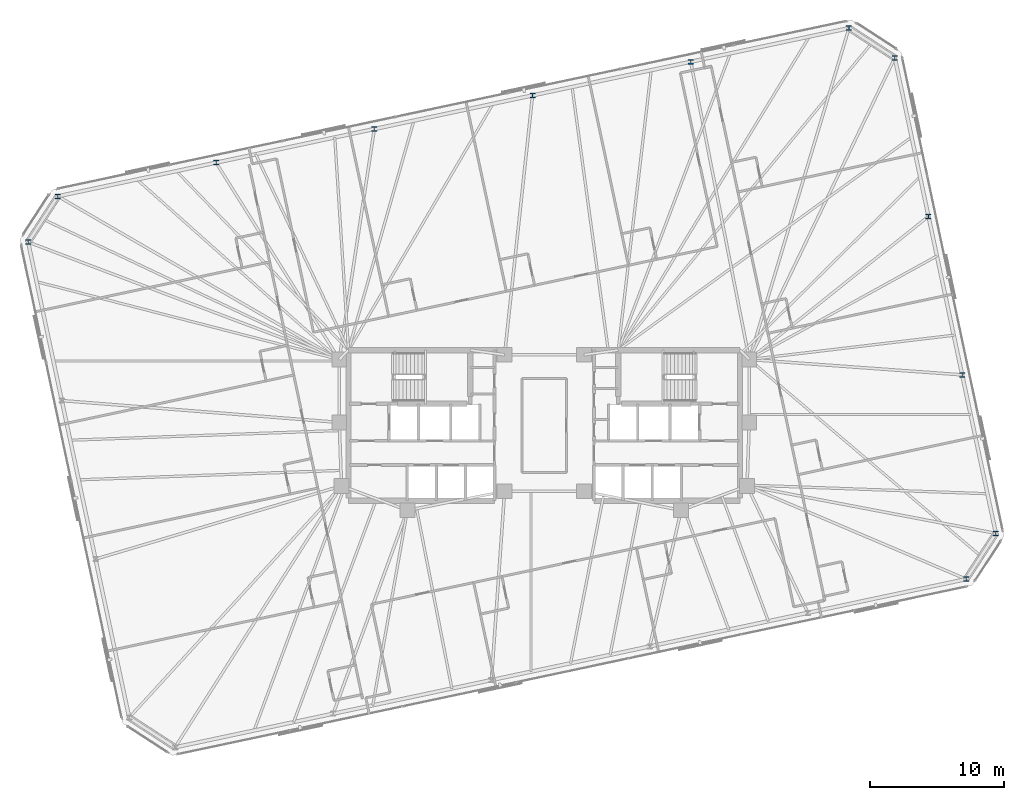
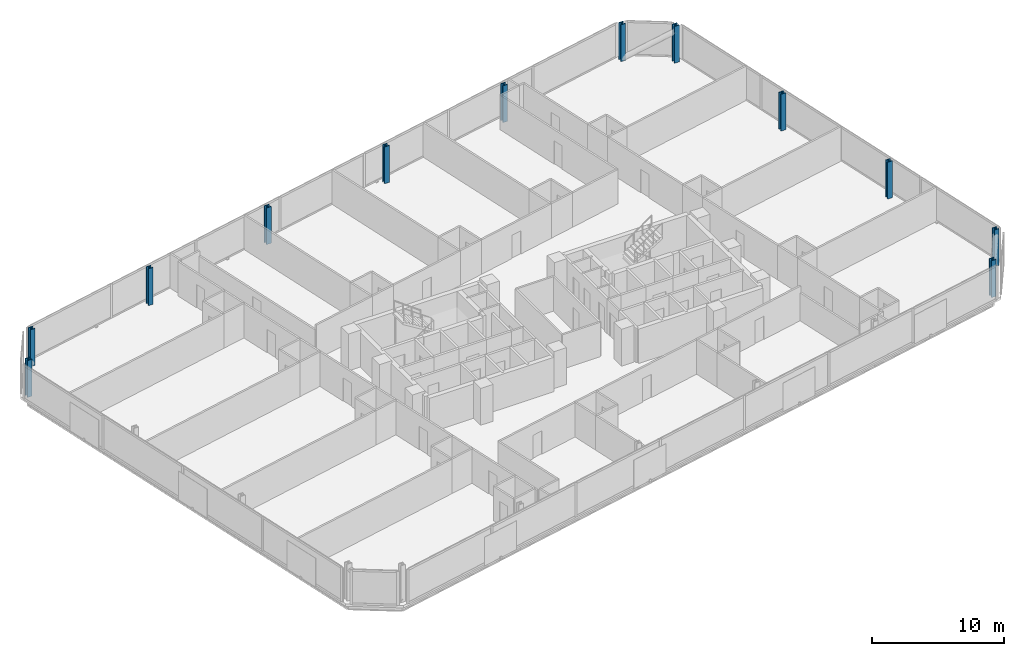
# One storey, part 5 of 19: 12 columns.
"""IFC4 building model written with IfcOpenShell, lengths in metres."""

from ifc_helpers import new_model, si_unit, direction, frame, origin, origin_2d, place, context, subcontext, project, spatial, i_section, extrude, material, material_profile, profile_set, type_object, element, save


model = new_model("IFC4")

# Units and contexts
model_context = context("Model", 3, precision=1e-05, world=origin(), true_north=direction((0.0, 1.0)))
body_context = subcontext(model_context, "Body", "Model", "MODEL_VIEW")
ifc_project = project(units=[si_unit("LENGTHUNIT", "METRE"), si_unit("AREAUNIT", "SQUARE_METRE"), si_unit("VOLUMEUNIT", "CUBIC_METRE"), si_unit("PLANEANGLEUNIT", "RADIAN"), si_unit("MASSUNIT", "GRAM", prefix="KILO")], contexts=[model_context])

# Site, building, storey
site_placement = place(None, origin())
site = spatial("IfcSite", under=ifc_project, at=site_placement, CompositionType="ELEMENT")
building_placement = place(site_placement, origin())
building = spatial("IfcBuilding", under=site, at=building_placement, Name="Menara Jurai Vektor", CompositionType="ELEMENT")
storey_placement = place(building_placement, frame((0.0, 0.0, 161.60009765625)))
storey = spatial("IfcBuildingStorey", under=building, at=storey_placement, Name="L41", CompositionType="ELEMENT", Elevation=161.60009765625)

# Columns
ifc_material = material(Name="Steel S460", Category="steel")
ifc_material_profile = material_profile(ifc_material, i_section(OverallWidth=0.408935546875, OverallDepth=0.3740234375, WebThickness=0.048095703125, FlangeThickness=0.076904296875, FilletRadius=0.014892578125, at=origin_2d()), Name="HD 400x634")
ifc_profile_set = profile_set([ifc_material_profile], Name="Steel S460")
column_type = type_object("IfcColumnType", Name="STR-EXO-BLK3", PredefinedType="COLUMN", material=ifc_profile_set)
for number, where, z_axis, x_axis, name in (
    (1, (31.376220703125, -11.438720703125, 0.0), (0.0, 0.0, 1.0), (1.0, 0.0, 0.0), "Exoskeleton Column BLK3-S6 L41"),
    (2, (33.588623046875, -8.031982421875, 0.0), (0.0, 0.0, 1.0), (1.0, 0.0, 0.0), "Exoskeleton Column BLK3-E1 L41"),
    (3, (31.082763671875, 3.75634765625, 0.0), (0.0, 0.0, 1.0), (1.0, 0.0, 0.0), "Exoskeleton Column BLK3-E2 L41"),
    (4, (28.5771484375, 15.544921875, 0.0), (0.0, 0.0, 1.0), (1.0, 0.0, 0.0), "Exoskeleton Column BLK3-E3 L41"),
    (5, (26.0712890625, 27.33349609375, 0.0), (0.0, 0.0, 1.0), (1.0, 0.0, 0.0), "Exoskeleton Column BLK3-E4 L41"),
    (6, (22.664794921875, 29.545654296875, 0.0), (0.0, 0.0, 1.0), (1.0, 0.0, 0.0), "Exoskeleton Column BLK3-N1 L41"),
    (7, (10.896484375, 27.044189453125, 0.0), (0.0, 0.0, 1.0), (1.0, 0.0, 0.0), "Exoskeleton Column BLK3-N2 L41"),
    (8, (-0.87158203125, 24.54296875, 0.0), (0.0, 0.0, 1.0), (1.0, 0.0, 0.0), "Exoskeleton Column BLK3-N3 L41"),
    (9, (-12.639892578125, 22.04150390625, 0.0), (0.0, 0.0, 1.0), (1.0, 0.0, 0.0), "Exoskeleton Column BLK3-N4 L41"),
    (10, (-24.407958984375, 19.5400390625, 0.0), (0.0, 0.0, 1.0), (1.0, 0.0, 0.0), "Exoskeleton Column BLK3-N5 L41"),
    (11, (-36.17626953125, 17.03857421875, 0.0), (0.0, 0.0, 1.0), (1.0, 0.0, 0.0), "Exoskeleton Column BLK3-N6 L41"),
    (12, (-38.388671875, 13.632080078125, 0.0), (0.0, 0.0, 1.0), (1.0, 0.0, 0.0), "Exoskeleton Column BLK3-W1 L41"),
):
    element("IfcColumn", number, at=place(storey_placement, frame(where, z_axis=z_axis, x_axis=x_axis)), inside=storey, type_object=column_type, Name=name, PredefinedType="COLUMN", context=body_context, shape_type="SweptSolid", body=[
        extrude(i_section(OverallWidth=0.408935546875, OverallDepth=0.3740234375, WebThickness=0.048095703125, FlangeThickness=0.076904296875, FilletRadius=0.014892578125, at=origin_2d()), origin(), (0.0, 0.0, 1.0), 3.39990234375),
    ])

save(model, "model.ifc")
